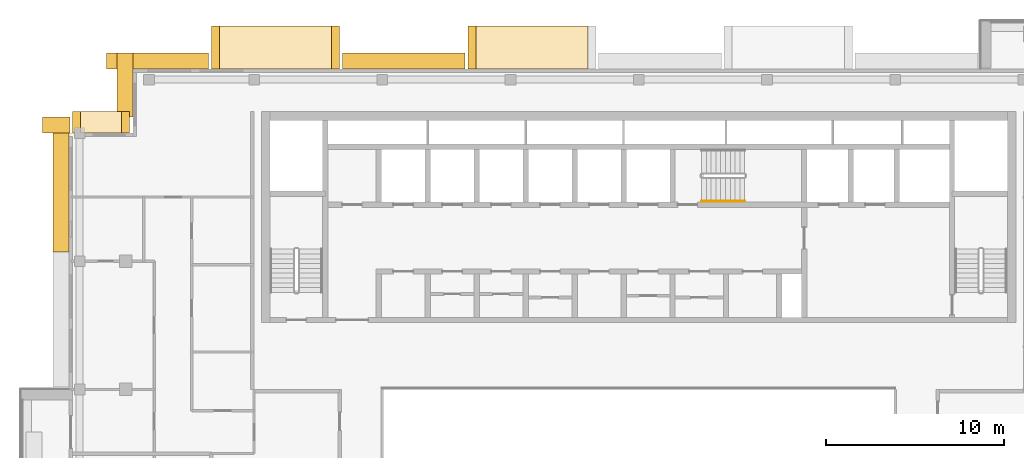
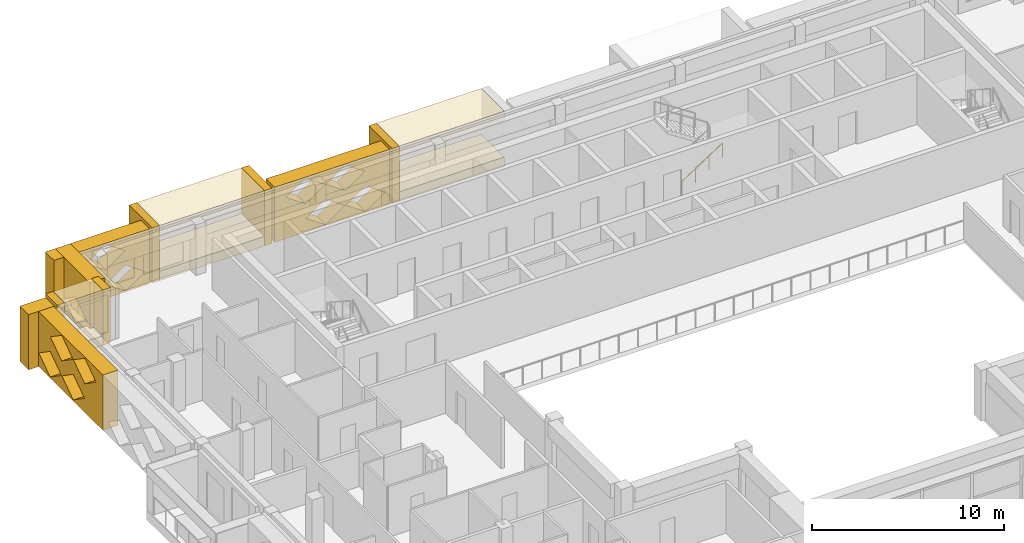
# One storey, part 16 of 18: 16 coverings, 1 railing.
"""IFC4 building model written with IfcOpenShell, lengths in metres."""

from ifc_helpers import new_model, si_unit, direction, frame, origin, origin_2d, place, context, subcontext, project, spatial, polyline, circle, outline, extrude, material, type_object, element, save


model = new_model("IFC4")

# Units and contexts
model_context = context("Model", 3, precision=1e-05, world=origin(), true_north=direction((0.0, 1.0)))
body_context = subcontext(model_context, "Body", "Model", "MODEL_VIEW")
ifc_project = project(units=[si_unit("LENGTHUNIT", "METRE"), si_unit("AREAUNIT", "SQUARE_METRE"), si_unit("VOLUMEUNIT", "CUBIC_METRE"), si_unit("PLANEANGLEUNIT", "RADIAN"), si_unit("MASSUNIT", "GRAM", prefix="KILO")], contexts=[model_context])

# Site, building, storey
site_placement = place(None, origin())
site = spatial("IfcSite", under=ifc_project, at=site_placement, CompositionType="ELEMENT")
building_placement = place(site_placement, origin())
building = spatial("IfcBuilding", under=site, at=building_placement, Name="Saffron Iwan Residences", CompositionType="ELEMENT")
storey_placement = place(building_placement, frame((0.0, 0.0, 257.0)))
storey = spatial("IfcBuildingStorey", under=building, at=storey_placement, Name="L69", CompositionType="ELEMENT", Elevation=257.0)

# Coverings
ifc_material_1 = material(Name="Precast concrete C40/50", Category="concrete")
covering_type_1 = type_object("IfcCoveringType", Name="OUTER SKIN LATTICE SCREEN", PredefinedType="CLADDING", material=ifc_material_1)
covering_1_placement = place(storey_placement, frame((40.64990234375, 80.39990234375, -0.280029296875), z_axis=(0.0, 1.0, 0.0), x_axis=(-1.0, 0.0, 0.0)))
element("IfcCovering", 1, at=covering_1_placement, inside=storey, type_object=covering_type_1, Name="OUTER SKIN lattice screen L69 F5.3", PredefinedType="CLADDING", context=body_context, shape_type="SweptSolid", body=[
    extrude(outline(polyline([(0.0, 0.0), (6.89990234375, 0.0), (6.89990234375, 3.5), (0.0, 3.5), (0.0, 0.0)]), holes=[polyline([(0.27001953125, 0.875), (1.449951171875, 0.06005859375), (2.6298828125, 0.875), (1.449951171875, 1.68994140625), (0.27001953125, 0.875)]), polyline([(2.669921875, 0.875), (3.85009765625, 0.06005859375), (5.030029296875, 0.875), (3.85009765625, 1.68994140625), (2.669921875, 0.875)]), polyline([(1.469970703125, 2.625), (2.64990234375, 1.81005859375), (3.830078125, 2.625), (2.64990234375, 3.43994140625), (1.469970703125, 2.625)]), polyline([(3.8701171875, 2.625), (5.050048828125, 1.81005859375), (6.22998046875, 2.625), (5.050048828125, 3.43994140625), (3.8701171875, 2.625)])]), origin(), (0.0, 0.0, 1.0), 0.900146484375),
])
covering_2_placement = place(storey_placement, frame((26.25, 80.39990234375, -0.280029296875), z_axis=(0.0, 1.0, 0.0), x_axis=(-1.0, 0.0, 0.0)))
element("IfcCovering", 2, at=covering_2_placement, inside=storey, type_object=covering_type_1, Name="OUTER SKIN lattice screen L69 F5.4", PredefinedType="CLADDING", context=body_context, shape_type="SweptSolid", body=[
    extrude(outline(polyline([(0.0, 0.0), (5.75, 0.0), (5.75, 3.5), (0.0, 3.5), (0.0, 0.0)]), holes=[polyline([(0.27001953125, 0.875), (1.449951171875, 0.06005859375), (2.6298828125, 0.875), (1.449951171875, 1.68994140625), (0.27001953125, 0.875)]), polyline([(2.669921875, 0.875), (3.85009765625, 0.06005859375), (5.030029296875, 0.875), (3.85009765625, 1.68994140625), (2.669921875, 0.875)]), polyline([(1.469970703125, 2.625), (2.64990234375, 1.81005859375), (3.830078125, 2.625), (2.64990234375, 3.43994140625), (1.469970703125, 2.625)])]), origin(), (0.0, 0.0, 1.0), 0.900146484375),
])
covering_3_placement = place(storey_placement, frame((22.0, 81.300048828125, -0.280029296875), z_axis=(-1.0, 0.0, 0.0), x_axis=(0.0, -1.0, 0.0)))
element("IfcCovering", 3, at=covering_3_placement, inside=storey, type_object=covering_type_1, Name="OUTER SKIN lattice screen L69 F6.0", PredefinedType="CLADDING", context=body_context, shape_type="SweptSolid", body=[
    extrude(outline(polyline([(0.0, 0.0), (3.60009765625, 0.0), (3.60009765625, 3.5), (0.0, 3.5), (0.0, 0.0)]), holes=[polyline([(0.919921875, 0.875), (2.10009765625, 0.06005859375), (3.280029296875, 0.875), (2.10009765625, 1.68994140625), (0.919921875, 0.875)])]), origin(), (0.0, 0.0, 1.0), 0.89990234375),
])
covering_4_placement = place(storey_placement, frame((18.449951171875, 76.800048828125, -0.280029296875), z_axis=(0.0, 1.0, 0.0), x_axis=(-1.0, 0.0, 0.0)))
element("IfcCovering", 4, at=covering_4_placement, inside=storey, type_object=covering_type_1, Name="OUTER SKIN lattice screen L69 F7.0", PredefinedType="CLADDING", context=body_context, shape_type="SweptSolid", body=[
    extrude(outline(polyline([(0.0, 0.0), (1.550048828125, 0.0), (1.550048828125, 3.5), (0.0, 3.5), (0.0, 0.0)])), origin(), (0.0, 0.0, 1.0), 0.89990234375),
])
covering_5_placement = place(storey_placement, frame((18.39990234375, 77.699951171875, -0.280029296875), z_axis=(-1.0, 0.0, 0.0), x_axis=(0.0, -1.0, 0.0)))
element("IfcCovering", 5, at=covering_5_placement, inside=storey, type_object=covering_type_1, Name="OUTER SKIN lattice screen L69 F8.0", PredefinedType="CLADDING", context=body_context, shape_type="SweptSolid", body=[
    extrude(outline(polyline([(0.0, 0.0), (7.574951171875, 0.0), (7.574951171875, 3.5), (0.0, 3.5), (0.0, 0.0)]), holes=[polyline([(0.919921875, 0.875), (2.10009765625, 0.06005859375), (3.280029296875, 0.875), (2.10009765625, 1.68994140625), (0.919921875, 0.875)]), polyline([(3.320068359375, 0.875), (4.5, 0.06005859375), (5.679931640625, 0.875), (4.5, 1.68994140625), (3.320068359375, 0.875)]), polyline([(2.1201171875, 2.625), (3.300048828125, 1.81005859375), (4.47998046875, 2.625), (3.300048828125, 3.43994140625), (2.1201171875, 2.625)]), polyline([(4.52001953125, 2.625), (5.699951171875, 1.81005859375), (6.8798828125, 2.625), (5.699951171875, 3.43994140625), (4.52001953125, 2.625)])]), origin(), (0.0, 0.0, 1.0), 0.89990234375),
])

# Railing
ifc_material_2 = material(Name="Stainless steel 316", Category="steel")
railing_type = type_object("IfcRailingType", Name="Stair handrail 900", PredefinedType="HANDRAIL", material=ifc_material_2)
railing_placement = place(storey_placement, frame((53.925048828125, 72.97509765625, 0.175048828125)))
element("IfcRailing", 6, at=railing_placement, inside=storey, type_object=railing_type, Name="L69 ST-C stair handrail 1", PredefinedType="HANDRAIL", context=body_context, shape_type="SweptSolid", body=[
    extrude(circle(Radius=0.02392578125, at=origin_2d()), frame((0.0, 0.0, 0.8759765625), z_axis=(0.839153699163, 0.0, 0.543894354798), x_axis=(0.0, 1.0, 0.0)), (0.0, 0.0, 1.0), 2.895751953125),
    extrude(circle(Radius=0.02099609375, at=origin_2d()), origin(), (0.0, 0.0, 1.0), 0.851806640625),
    extrude(circle(Radius=0.02099609375, at=origin_2d()), frame((0.81005859375, 0.0, 0.52490234375)), (0.0, 0.0, 1.0), 0.851806640625),
    extrude(circle(Radius=0.02099609375, at=origin_2d()), frame((1.619873046875, 0.0, 1.050048828125)), (0.0, 0.0, 1.0), 0.851806640625),
    extrude(circle(Radius=0.02099609375, at=origin_2d()), frame((2.429931640625, 0.0, 1.574951171875)), (0.0, 0.0, 1.0), 0.851806640625),
])

# Coverings
ifc_material_3 = material(Name="Precast concrete C40/50 white painted", Category="concrete")
covering_type_2 = type_object("IfcCoveringType", Name="WHITE SUN FRAME PRECAST", PredefinedType="CLADDING", material=ifc_material_3)
covering_6_placement = place(storey_placement, frame((41.25, 80.39990234375, -0.280029296875), z_axis=(0.0, 1.0, 0.0), x_axis=(-1.0, 0.0, 0.0)))
element("IfcCovering", 7, at=covering_6_placement, inside=storey, type_object=covering_type_2, Name="Sun frame L69 F5 30.8b", PredefinedType="CLADDING", context=body_context, shape_type="SweptSolid", body=[
    extrude(outline(polyline([(0.0, 0.0), (0.449951171875, 0.0), (0.449951171875, 3.5), (0.0, 3.5), (0.0, 0.0)])), origin(), (0.0, 0.0, 1.0), 2.400146484375),
])
for number, where, z_axis, x_axis, name in (
    (8, (47.550048828125, 80.39990234375, 2.6201171875), (0.0, 1.0, 0.0), (-1.0, 0.0, 0.0), "Sun frame L69 F5 30.8h"),
    (9, (47.550048828125, 80.39990234375, -0.280029296875), (0.0, 1.0, 0.0), (-1.0, 0.0, 0.0), "Sun frame L69 F5 30.8s"),
):
    element("IfcCovering", number, at=place(storey_placement, frame(where, z_axis=z_axis, x_axis=x_axis)), inside=storey, type_object=covering_type_2, Name=name, PredefinedType="CLADDING", context=body_context, shape_type="SweptSolid", body=[
        extrude(outline(polyline([(0.0, 0.0), (6.300048828125, 0.0), (6.300048828125, 0.60009765625), (0.0, 0.60009765625), (0.0, 0.0)])), origin(), (0.0, 0.0, 1.0), 2.400146484375),
    ])
for number, where, z_axis, x_axis, name in (
    (10, (33.60009765625, 80.39990234375, -0.280029296875), (0.0, 1.0, 0.0), (-1.0, 0.0, 0.0), "Sun frame L69 F5 45.2a"),
    (11, (26.85009765625, 80.39990234375, -0.280029296875), (0.0, 1.0, 0.0), (-1.0, 0.0, 0.0), "Sun frame L69 F5 45.2b"),
):
    element("IfcCovering", number, at=place(storey_placement, frame(where, z_axis=z_axis, x_axis=x_axis)), inside=storey, type_object=covering_type_2, Name=name, PredefinedType="CLADDING", context=body_context, shape_type="SweptSolid", body=[
        extrude(outline(polyline([(0.0, 0.0), (0.449951171875, 0.0), (0.449951171875, 3.5), (0.0, 3.5), (0.0, 0.0)])), origin(), (0.0, 0.0, 1.0), 2.400146484375),
    ])
for number, where, z_axis, x_axis, name in (
    (12, (33.14990234375, 80.39990234375, 2.6201171875), (0.0, 1.0, 0.0), (-1.0, 0.0, 0.0), "Sun frame L69 F5 45.2h"),
    (13, (33.14990234375, 80.39990234375, -0.280029296875), (0.0, 1.0, 0.0), (-1.0, 0.0, 0.0), "Sun frame L69 F5 45.2s"),
):
    element("IfcCovering", number, at=place(storey_placement, frame(where, z_axis=z_axis, x_axis=x_axis)), inside=storey, type_object=covering_type_2, Name=name, PredefinedType="CLADDING", context=body_context, shape_type="SweptSolid", body=[
        extrude(outline(polyline([(0.0, 0.0), (6.300048828125, 0.0), (6.300048828125, 0.60009765625), (0.0, 0.60009765625), (0.0, 0.0)])), origin(), (0.0, 0.0, 1.0), 2.400146484375),
    ])
for number, where, z_axis, x_axis, name in (
    (14, (21.800048828125, 76.800048828125, -0.280029296875), (0.0, 1.0, 0.0), (-1.0, 0.0, 0.0), "Sun frame L69 F7 0.2a"),
    (15, (19.050048828125, 76.800048828125, -0.280029296875), (0.0, 1.0, 0.0), (-1.0, 0.0, 0.0), "Sun frame L69 F7 0.2b"),
):
    element("IfcCovering", number, at=place(storey_placement, frame(where, z_axis=z_axis, x_axis=x_axis)), inside=storey, type_object=covering_type_2, Name=name, PredefinedType="CLADDING", context=body_context, shape_type="SweptSolid", body=[
        extrude(outline(polyline([(0.0, 0.0), (0.449951171875, 0.0), (0.449951171875, 3.5), (0.0, 3.5), (0.0, 0.0)])), origin(), (0.0, 0.0, 1.0), 1.199951171875),
    ])
for number, where, z_axis, x_axis, name in (
    (16, (21.35009765625, 76.800048828125, 2.6201171875), (0.0, 1.0, 0.0), (-1.0, 0.0, 0.0), "Sun frame L69 F7 0.2h"),
    (17, (21.35009765625, 76.800048828125, -0.280029296875), (0.0, 1.0, 0.0), (-1.0, 0.0, 0.0), "Sun frame L69 F7 0.2s"),
):
    element("IfcCovering", number, at=place(storey_placement, frame(where, z_axis=z_axis, x_axis=x_axis)), inside=storey, type_object=covering_type_2, Name=name, PredefinedType="CLADDING", context=body_context, shape_type="SweptSolid", body=[
        extrude(outline(polyline([(0.0, 0.0), (2.300048828125, 0.0), (2.300048828125, 0.60009765625), (0.0, 0.60009765625), (0.0, 0.0)])), origin(), (0.0, 0.0, 1.0), 1.199951171875),
    ])

save(model, "model.ifc")
